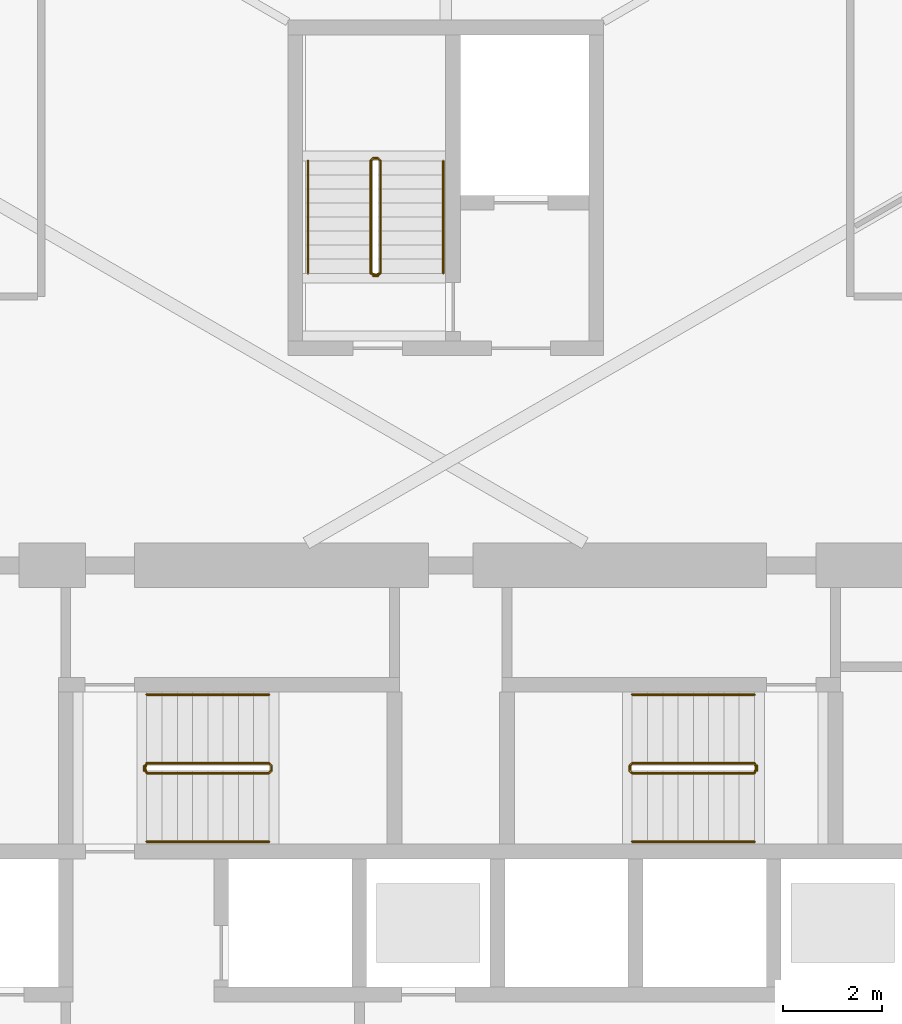
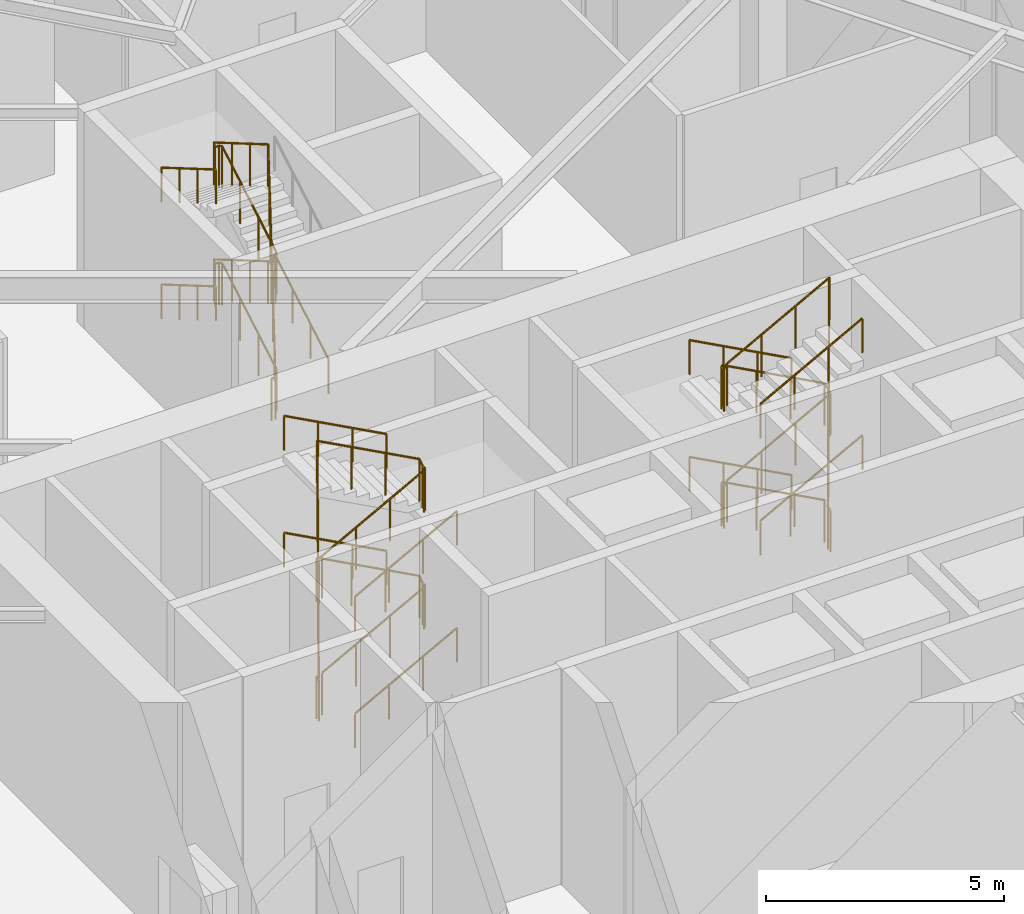
# One storey, part 19 of 21: 14 railings.
"""IFC4 building model written with IfcOpenShell, lengths in metres."""

import ifcopenshell
import ifcopenshell.guid

model = None  # the IFC model being written
_history = None  # IfcOwnerHistory: only IFC2X3 demands one
_inside = {}  # id of a spatial element -> (the spatial element, [elements in it])
_under = {}  # id of a project, library or spatial element -> (it, [spatial elements below it])
_declared = {}  # id of a project -> (the project, [libraries it declares])
_typed = {}  # id of a type object -> (the type object, [elements of that type])
_made_of = {}  # id of a material, layer set ... -> (it, [elements and type objects made of it])


def new_model(schema):
    """Start an empty IFC model of exactly this schema.

    Asked for "IFC4X3", IfcOpenShell would pick the latest addendum, in which some entities
    have other attributes; the version numbers below select the first issue.
    IFC2X3 requires an IfcOwnerHistory on every rooted entity: one is made here for all.
    """
    global model, _history
    if schema == "IFC4X3":
        model = ifcopenshell.file(schema_version=(4, 3, 0, 0))
    else:
        model = ifcopenshell.file(schema=schema)
    _inside.clear()
    _under.clear()
    _declared.clear()
    _typed.clear()
    _made_of.clear()
    _history = None
    if model.schema == "IFC2X3":
        org = make("IfcOrganization", Name="unknown")
        user = make(
            "IfcPersonAndOrganization",
            ThePerson=make("IfcPerson", FamilyName="unknown"),
            TheOrganization=org,
        )
        app = make(
            "IfcApplication",
            ApplicationDeveloper=org,
            Version="unknown",
            ApplicationFullName="unknown",
            ApplicationIdentifier="unknown",
        )
        _history = make(
            "IfcOwnerHistory",
            OwningUser=user,
            OwningApplication=app,
            ChangeAction="ADDED",
            CreationDate=0,
        )
    return model


def make(cls, **values):
    """One entity of the class cls with the attributes given. An attribute that is None is left unset."""
    return model.create_entity(
        cls, **{name: value for name, value in values.items() if value is not None}
    )


def rooted(cls, **values):
    """An entity with a GlobalId (a new one), such as an element, a storey or a relation."""
    return make(cls, GlobalId=ifcopenshell.guid.new(), OwnerHistory=_history, **values)


def si_unit(unit_type, name, prefix=None):
    """IfcSIUnit, for example si_unit("LENGTHUNIT", "METRE", prefix="MILLI")."""
    return make("IfcSIUnit", UnitType=unit_type, Prefix=prefix, Name=name)


def assignment(units):
    """IfcUnitAssignment: the units of a project."""
    return None if units is None else make("IfcUnitAssignment", Units=units)


def point(xyz):
    """IfcCartesianPoint."""
    return None if xyz is None else make("IfcCartesianPoint", Coordinates=xyz)


def direction(xyz):
    """IfcDirection."""
    return None if xyz is None else make("IfcDirection", DirectionRatios=xyz)


def frame(location, z_axis=None, x_axis=None):
    """IfcAxis2Placement3D, a coordinate frame: its origin and axes. An axis left out is left unset."""
    return make(
        "IfcAxis2Placement3D",
        Location=point(location),
        Axis=direction(z_axis),
        RefDirection=direction(x_axis),
    )


def frame_2d(location, x_axis=None):
    """IfcAxis2Placement2D, a coordinate frame in the plane: its origin and x axis."""
    return make(
        "IfcAxis2Placement2D", Location=point(location), RefDirection=direction(x_axis)
    )


def origin():
    """The frame at (0, 0, 0) with its axes left unset."""
    return frame((0.0, 0.0, 0.0))


def origin_2d():
    """The frame at (0, 0) in the plane with its x axis left unset."""
    return frame_2d((0.0, 0.0))


def place(relative_to, where):
    """IfcLocalPlacement: puts the frame where relative to a parent placement (None: the world)."""
    return make(
        "IfcLocalPlacement", PlacementRelTo=relative_to, RelativePlacement=where
    )


def context(
    kind, dimensions, precision=None, world=None, true_north=None, identifier=None
):
    """IfcGeometricRepresentationContext, for example the 3D "Model" context."""
    return make(
        "IfcGeometricRepresentationContext",
        ContextIdentifier=identifier,
        ContextType=kind,
        CoordinateSpaceDimension=dimensions,
        Precision=precision,
        WorldCoordinateSystem=world,
        TrueNorth=true_north,
    )


def subcontext(parent, identifier, kind, view, scale=None):
    """IfcGeometricRepresentationSubContext, for example "Body" below "Model"."""
    return make(
        "IfcGeometricRepresentationSubContext",
        ContextIdentifier=identifier,
        ContextType=kind,
        ParentContext=parent,
        TargetScale=scale,
        TargetView=view,
    )


def project(units=None, contexts=None):
    """IfcProject with its units and contexts."""
    return rooted(
        "IfcProject",
        Name="project",
        RepresentationContexts=contexts,
        UnitsInContext=assignment(units),
    )


def spatial(cls, under=None, at=None, **own):
    """A site, building, storey or space (cls), placed at a placement, below another one or the project."""
    s = rooted(cls, ObjectPlacement=at, **own)
    if under is not None:
        _under.setdefault(under.id(), (under, []))[1].append(s)
    return s


def profile(cls, at=None, kind="AREA", **sizes):
    """A parametric profile (cls). Its sizes go by their IFC names, for example OverallWidth=200.0."""
    return make(cls, ProfileType=kind, Position=at, **sizes)


def circle(**sizes):
    """IfcCircleProfileDef."""
    return profile("IfcCircleProfileDef", **sizes)


def extrude(swept, where, along, depth):
    """IfcExtrudedAreaSolid: the profile swept, set in the frame where, extruded along a direction by depth."""
    return make(
        "IfcExtrudedAreaSolid",
        SweptArea=swept,
        Position=where,
        ExtrudedDirection=direction(along),
        Depth=depth,
    )


def shape(context_of_items, identifier, shape_type, items):
    """IfcShapeRepresentation: the items that make up one representation, for example the "Body"."""
    return make(
        "IfcShapeRepresentation",
        ContextOfItems=context_of_items,
        RepresentationIdentifier=identifier,
        RepresentationType=shape_type,
        Items=items,
    )


def material(Name=None, Category=None):
    """IfcMaterial."""
    return make("IfcMaterial", Name=Name, Category=Category)


def made_of(thing, what):
    """Note that an element or type object is made of a material, layer set ...; save() writes the relation."""
    if what is not None:
        _made_of.setdefault(what.id(), (what, []))[1].append(thing)
    return thing


def type_object(cls, material=None, **own):
    """A type object (cls), such as IfcWallType, which elements share."""
    return made_of(rooted(cls, **own), material)


def element(
    cls,
    number,
    at=None,
    inside=None,
    cuts=None,
    type_object=None,
    material=None,
    context=None,
    identifier="Body",
    shape_type=None,
    held_by="IfcProductDefinitionShape",
    body=None,
    shapes=None,
    **own,
):
    """One element of the class cls, such as IfcWall. Its Tag is "e" and its number.

    at: its placement. inside: the storey or other place that contains it. cuts: it is an
    opening in that element (IfcRelVoidsElement). A single representation is given by context,
    identifier, shape_type and body (its items); several are given by shapes. held_by: the class
    of the entity that holds the representations. save() writes the other relations.
    """
    e = rooted(cls, Tag="e%d" % number, ObjectPlacement=at, **own)
    if body is not None:
        shapes = [shape(context, identifier, shape_type, body)]
    if shapes is not None:
        e.Representation = make(held_by, Representations=shapes)
    if inside is not None:
        _inside.setdefault(inside.id(), (inside, []))[1].append(e)
    if cuts is not None:
        rooted(
            "IfcRelVoidsElement", RelatingBuildingElement=cuts, RelatedOpeningElement=e
        )
    if type_object is not None:
        _typed.setdefault(type_object.id(), (type_object, []))[1].append(e)
    return made_of(e, material)


def aggregate(whole, parts):
    """IfcRelAggregates: a whole, such as a stair, and the parts it consists of."""
    return rooted("IfcRelAggregates", RelatingObject=whole, RelatedObjects=parts)


def save(model, path):
    """Write the relations noted so far, then the file.

    IfcRelAggregates (storeys below a building ...), IfcRelContainedInSpatialStructure (elements
    in a storey), IfcRelDefinesByType, IfcRelAssociatesMaterial and IfcRelDeclares: one each for
    every whole, place, type object, material and project.
    """
    for whole, parts in _under.values():
        aggregate(whole, parts)
    for where, things in _inside.values():
        rooted(
            "IfcRelContainedInSpatialStructure",
            RelatedElements=things,
            RelatingStructure=where,
        )
    for kind, things in _typed.values():
        rooted("IfcRelDefinesByType", RelatedObjects=things, RelatingType=kind)
    for what, things in _made_of.values():
        rooted("IfcRelAssociatesMaterial", RelatedObjects=things, RelatingMaterial=what)
    for by, libraries in _declared.values():
        rooted("IfcRelDeclares", RelatingContext=by, RelatedDefinitions=libraries)
    model.write(path)


model = new_model("IFC4")

# Units and contexts
model_context = context("Model", 3, precision=1e-05, world=origin(), true_north=direction((0.0, 1.0)))
body_context = subcontext(model_context, "Body", "Model", "MODEL_VIEW")
ifc_project = project(units=[si_unit("LENGTHUNIT", "METRE"), si_unit("AREAUNIT", "SQUARE_METRE"), si_unit("VOLUMEUNIT", "CUBIC_METRE"), si_unit("PLANEANGLEUNIT", "RADIAN"), si_unit("MASSUNIT", "GRAM", prefix="KILO")], contexts=[model_context])

# Site, building, storey
site_placement = place(None, origin())
site = spatial("IfcSite", under=ifc_project, at=site_placement, CompositionType="ELEMENT")
building_placement = place(site_placement, origin())
building = spatial("IfcBuilding", under=site, at=building_placement, Name="Firuza Gate Tower and Library", CompositionType="ELEMENT")
storey_placement = place(building_placement, frame((0.0, 0.0, 140.800048828125)))
storey = spatial("IfcBuildingStorey", under=building, at=storey_placement, Name="L32", CompositionType="ELEMENT", Elevation=140.800048828125)

# Railings
ifc_material_1 = material(Name="Steel S355", Category="steel")
railing_type_1 = type_object("IfcRailingType", Name="Stair guard 1100", PredefinedType="GUARDRAIL", material=ifc_material_1)
railing_1_placement = place(storey_placement, frame((68.93994140625, 79.340087890625, 0.16650390625)))
element("IfcRailing", 1, at=railing_1_placement, inside=storey, type_object=railing_type_1, Name="L32 ST1 stair guard 1", PredefinedType="GUARDRAIL", context=body_context, shape_type="SweptSolid", body=[
    extrude(circle(Radius=0.02392578125, at=origin_2d()), frame((0.0, 0.0, 1.076171875), z_axis=(0.880749358647, 0.0, 0.473582693141), x_axis=(0.0, 1.0, 0.0)), (0.0, 0.0, 1.0), 2.815673828125),
    extrude(circle(Radius=0.02392578125, at=origin_2d()), frame((2.47998046875, 0.0, 2.40966796875), z_axis=(0.708833529934, 0.705375805398, 0.0), x_axis=(-0.705375805398, 0.708833529934, 0.0)), (0.0, 0.0, 1.0), 0.070556640625),
    extrude(circle(Radius=0.02392578125, at=origin_2d()), frame((2.530029296875, 0.0498046875, 2.40966796875), z_axis=(0.0, 1.0, 0.0), x_axis=(-1.0, 0.0, 0.0)), (0.0, 0.0, 1.0), 0.10009765625),
    extrude(circle(Radius=0.02392578125, at=origin_2d()), frame((2.530029296875, 0.14990234375, 2.40966796875), z_axis=(-0.27662974545, 0.27662974545, 0.920299933644), x_axis=(-0.707106781187, -0.707106781187, 0.0)), (0.0, 0.0, 1.0), 0.180908203125),
    extrude(circle(Radius=0.02392578125, at=origin_2d()), frame((2.47998046875, 0.199951171875, 2.576171875), z_axis=(-0.880749358647, 0.0, 0.473582693141), x_axis=(0.0, -1.0, 0.0)), (0.0, 0.0, 1.0), 2.815673828125),
    extrude(circle(Radius=0.02392578125, at=origin_2d()), frame((0.0, 0.199951171875, 3.90966796875), z_axis=(-0.316227766017, -0.948683298051, 0.0), x_axis=(0.948683298051, -0.316227766017, 0.0)), (0.0, 0.0, 1.0), 0.158203125),
    extrude(circle(Radius=0.02392578125, at=origin_2d()), frame((-0.050048828125, 0.0498046875, 3.90966796875), z_axis=(0.0, 1.0, 0.0), x_axis=(-1.0, 0.0, 0.0)), (0.0, 0.0, 1.0), 0.10009765625),
    extrude(circle(Radius=0.02392578125, at=origin_2d()), frame((-0.050048828125, 0.14990234375, 3.90966796875), z_axis=(0.218017880586, -0.652990139901, 0.725308266144), x_axis=(0.948528701346, 0.316691178788, 0.0)), (0.0, 0.0, 1.0), 0.2294921875),
    extrude(circle(Radius=0.02392578125, at=origin_2d()), frame((0.0, 0.0, 4.076171875), z_axis=(0.880749358647, 0.0, 0.473582693141), x_axis=(0.0, 1.0, 0.0)), (0.0, 0.0, 1.0), 2.815673828125),
    extrude(circle(Radius=0.02392578125, at=origin_2d()), frame((2.47998046875, 0.0, 5.40966796875), z_axis=(0.708833529934, 0.705375805398, 0.0), x_axis=(-0.705375805398, 0.708833529934, 0.0)), (0.0, 0.0, 1.0), 0.070556640625),
    extrude(circle(Radius=0.02392578125, at=origin_2d()), frame((2.530029296875, 0.0498046875, 5.40966796875), z_axis=(0.0, 1.0, 0.0), x_axis=(-1.0, 0.0, 0.0)), (0.0, 0.0, 1.0), 0.10009765625),
    extrude(circle(Radius=0.02392578125, at=origin_2d()), frame((2.530029296875, 0.14990234375, 5.40966796875), z_axis=(-0.27662974545, 0.27662974545, 0.920299933644), x_axis=(-0.707106781187, -0.707106781187, 0.0)), (0.0, 0.0, 1.0), 0.180908203125),
    extrude(circle(Radius=0.02392578125, at=origin_2d()), frame((2.47998046875, 0.199951171875, 5.576171875), z_axis=(-0.880749358647, 0.0, 0.473582693141), x_axis=(0.0, -1.0, 0.0)), (0.0, 0.0, 1.0), 2.815673828125),
    extrude(circle(Radius=0.02392578125, at=origin_2d()), frame((0.0, 0.199951171875, 6.90966796875), z_axis=(-0.008338570864, -0.025015712591, -0.999652280725), x_axis=(0.948683298051, -0.316227766017, 0.0)), (0.0, 0.0, 1.0), 6.002197265625),
    extrude(circle(Radius=0.02392578125, at=origin_2d()), frame((-0.050048828125, 0.0498046875, 0.90966796875), z_axis=(0.0, 1.0, 0.0), x_axis=(-1.0, 0.0, 0.0)), (0.0, 0.0, 1.0), 0.10009765625),
    extrude(circle(Radius=0.02099609375, at=origin_2d()), origin(), (0.0, 0.0, 1.0), 1.052001953125),
    extrude(circle(Radius=0.02099609375, at=origin_2d()), frame((0.82666015625, 0.0, 0.444580078125)), (0.0, 0.0, 1.0), 1.052001953125),
    extrude(circle(Radius=0.02099609375, at=origin_2d()), frame((1.6533203125, 0.0, 0.888916015625)), (0.0, 0.0, 1.0), 1.052001953125),
    extrude(circle(Radius=0.02099609375, at=origin_2d()), frame((2.47998046875, 0.0, 1.33349609375)), (0.0, 0.0, 1.0), 1.052001953125),
    extrude(circle(Radius=0.02099609375, at=origin_2d()), frame((2.530029296875, 0.0498046875, 1.33349609375)), (0.0, 0.0, 1.0), 1.052001953125),
    extrude(circle(Radius=0.02099609375, at=origin_2d()), frame((2.530029296875, 0.14990234375, 1.33349609375)), (0.0, 0.0, 1.0), 1.052001953125),
    extrude(circle(Radius=0.02099609375, at=origin_2d()), frame((2.47998046875, 0.199951171875, 1.5)), (0.0, 0.0, 1.0), 1.052001953125),
    extrude(circle(Radius=0.02099609375, at=origin_2d()), frame((1.6533203125, 0.199951171875, 1.944580078125)), (0.0, 0.0, 1.0), 1.052001953125),
    extrude(circle(Radius=0.02099609375, at=origin_2d()), frame((0.82666015625, 0.199951171875, 2.388916015625)), (0.0, 0.0, 1.0), 1.052001953125),
    extrude(circle(Radius=0.02099609375, at=origin_2d()), frame((0.0, 0.199951171875, 2.83349609375)), (0.0, 0.0, 1.0), 1.052001953125),
    extrude(circle(Radius=0.02099609375, at=origin_2d()), frame((-0.050048828125, 0.0498046875, 2.83349609375)), (0.0, 0.0, 1.0), 1.052001953125),
    extrude(circle(Radius=0.02099609375, at=origin_2d()), frame((-0.050048828125, 0.14990234375, 2.83349609375)), (0.0, 0.0, 1.0), 1.052001953125),
    extrude(circle(Radius=0.02099609375, at=origin_2d()), frame((0.0, 0.0, 3.0)), (0.0, 0.0, 1.0), 1.052001953125),
    extrude(circle(Radius=0.02099609375, at=origin_2d()), frame((0.82666015625, 0.0, 3.444580078125)), (0.0, 0.0, 1.0), 1.052001953125),
    extrude(circle(Radius=0.02099609375, at=origin_2d()), frame((1.6533203125, 0.0, 3.888916015625)), (0.0, 0.0, 1.0), 1.052001953125),
    extrude(circle(Radius=0.02099609375, at=origin_2d()), frame((2.47998046875, 0.0, 4.33349609375)), (0.0, 0.0, 1.0), 1.052001953125),
    extrude(circle(Radius=0.02099609375, at=origin_2d()), frame((2.530029296875, 0.0498046875, 4.33349609375)), (0.0, 0.0, 1.0), 1.052001953125),
    extrude(circle(Radius=0.02099609375, at=origin_2d()), frame((2.530029296875, 0.14990234375, 4.33349609375)), (0.0, 0.0, 1.0), 1.052001953125),
    extrude(circle(Radius=0.02099609375, at=origin_2d()), frame((2.47998046875, 0.199951171875, 4.5)), (0.0, 0.0, 1.0), 1.052001953125),
    extrude(circle(Radius=0.02099609375, at=origin_2d()), frame((1.6533203125, 0.199951171875, 4.944580078125)), (0.0, 0.0, 1.0), 1.052001953125),
    extrude(circle(Radius=0.02099609375, at=origin_2d()), frame((0.82666015625, 0.199951171875, 5.388916015625)), (0.0, 0.0, 1.0), 1.052001953125),
    extrude(circle(Radius=0.02099609375, at=origin_2d()), frame((0.0, 0.199951171875, 5.83349609375)), (0.0, 0.0, 1.0), 1.052001953125),
    extrude(circle(Radius=0.02099609375, at=origin_2d()), frame((-0.00830078125, 0.1748046875, 4.83349609375)), (0.0, 0.0, 1.0), 1.052001953125),
    extrude(circle(Radius=0.02099609375, at=origin_2d()), frame((-0.0166015625, 0.14990234375, 3.83349609375)), (0.0, 0.0, 1.0), 1.052001953125),
    extrude(circle(Radius=0.02099609375, at=origin_2d()), frame((-0.02490234375, 0.125, 2.83349609375)), (0.0, 0.0, 1.0), 1.052001953125),
    extrude(circle(Radius=0.02099609375, at=origin_2d()), frame((-0.033447265625, 0.099853515625, 1.83349609375)), (0.0, 0.0, 1.0), 1.052001953125),
    extrude(circle(Radius=0.02099609375, at=origin_2d()), frame((-0.041748046875, 0.07470703125, 0.83349609375)), (0.0, 0.0, 1.0), 1.052001953125),
    extrude(circle(Radius=0.02099609375, at=origin_2d()), frame((-0.050048828125, 0.0498046875, -0.16650390625)), (0.0, 0.0, 1.0), 1.052001953125),
    extrude(circle(Radius=0.02099609375, at=origin_2d()), frame((-0.050048828125, 0.14990234375, -0.16650390625)), (0.0, 0.0, 1.0), 1.052001953125),
])
railing_2_placement = place(storey_placement, frame((81.260009765625, 79.5400390625, 0.16650390625)))
element("IfcRailing", 2, at=railing_2_placement, inside=storey, type_object=railing_type_1, Name="L32 ST2 stair guard 1", PredefinedType="GUARDRAIL", context=body_context, shape_type="SweptSolid", body=[
    extrude(circle(Radius=0.02392578125, at=origin_2d()), frame((0.0, 0.0, 1.076171875), z_axis=(-0.880749358647, 0.0, 0.473582693141), x_axis=(0.0, -1.0, 0.0)), (0.0, 0.0, 1.0), 2.815673828125),
    extrude(circle(Radius=0.02392578125, at=origin_2d()), frame((-2.47998046875, 0.0, 2.40966796875), z_axis=(-0.707106781187, -0.707106781187, 0.0), x_axis=(0.707106781187, -0.707106781187, 0.0)), (0.0, 0.0, 1.0), 0.07080078125),
    extrude(circle(Radius=0.02392578125, at=origin_2d()), frame((-2.530029296875, -0.050048828125, 2.40966796875), z_axis=(0.0, -1.0, 0.0), x_axis=(1.0, 0.0, 0.0)), (0.0, 0.0, 1.0), 0.10009765625),
    extrude(circle(Radius=0.02392578125, at=origin_2d()), frame((-2.530029296875, -0.150146484375, 2.40966796875), z_axis=(0.276732813696, -0.275382897532, 0.920642824102), x_axis=(0.705375805398, 0.708833529934, 0.0)), (0.0, 0.0, 1.0), 0.180908203125),
    extrude(circle(Radius=0.02392578125, at=origin_2d()), frame((-2.47998046875, -0.199951171875, 2.576171875), z_axis=(0.880749358647, 0.0, 0.473582693141), x_axis=(0.0, 1.0, 0.0)), (0.0, 0.0, 1.0), 2.815673828125),
    extrude(circle(Radius=0.02392578125, at=origin_2d()), frame((0.0, -0.199951171875, 3.90966796875), z_axis=(0.316691178788, 0.948528701346, 0.0), x_axis=(-0.948528701346, 0.316691178788, 0.0)), (0.0, 0.0, 1.0), 0.157958984375),
    extrude(circle(Radius=0.02392578125, at=origin_2d()), frame((0.050048828125, -0.050048828125, 3.90966796875), z_axis=(0.0, -1.0, 0.0), x_axis=(1.0, 0.0, 0.0)), (0.0, 0.0, 1.0), 0.10009765625),
    extrude(circle(Radius=0.02392578125, at=origin_2d()), frame((0.050048828125, -0.150146484375, 3.90966796875), z_axis=(-0.217866511207, 0.653599533622, 0.724804686066), x_axis=(-0.948683298051, -0.316227766017, 0.0)), (0.0, 0.0, 1.0), 0.229736328125),
    extrude(circle(Radius=0.02392578125, at=origin_2d()), frame((0.0, 0.0, 4.076171875), z_axis=(-0.880749358647, 0.0, 0.473582693141), x_axis=(0.0, -1.0, 0.0)), (0.0, 0.0, 1.0), 2.815673828125),
    extrude(circle(Radius=0.02392578125, at=origin_2d()), frame((-2.47998046875, 0.0, 5.40966796875), z_axis=(-0.707106781187, -0.707106781187, 0.0), x_axis=(0.707106781187, -0.707106781187, 0.0)), (0.0, 0.0, 1.0), 0.07080078125),
    extrude(circle(Radius=0.02392578125, at=origin_2d()), frame((-2.530029296875, -0.050048828125, 5.40966796875), z_axis=(0.0, -1.0, 0.0), x_axis=(1.0, 0.0, 0.0)), (0.0, 0.0, 1.0), 0.10009765625),
    extrude(circle(Radius=0.02392578125, at=origin_2d()), frame((-2.530029296875, -0.150146484375, 5.40966796875), z_axis=(0.276732813696, -0.275382897532, 0.920642824102), x_axis=(0.705375805398, 0.708833529934, 0.0)), (0.0, 0.0, 1.0), 0.180908203125),
    extrude(circle(Radius=0.02392578125, at=origin_2d()), frame((-2.47998046875, -0.199951171875, 5.576171875), z_axis=(0.880749358647, 0.0, 0.473582693141), x_axis=(0.0, 1.0, 0.0)), (0.0, 0.0, 1.0), 2.815673828125),
    extrude(circle(Radius=0.02392578125, at=origin_2d()), frame((0.0, -0.199951171875, 6.90966796875), z_axis=(0.008338579342, 0.024975062028, -0.999653297084), x_axis=(-0.948528701346, 0.316691178788, 0.0)), (0.0, 0.0, 1.0), 6.002197265625),
    extrude(circle(Radius=0.02392578125, at=origin_2d()), frame((0.050048828125, -0.050048828125, 0.90966796875), z_axis=(0.0, -1.0, 0.0), x_axis=(1.0, 0.0, 0.0)), (0.0, 0.0, 1.0), 0.10009765625),
    extrude(circle(Radius=0.02099609375, at=origin_2d()), origin(), (0.0, 0.0, 1.0), 1.052001953125),
    extrude(circle(Radius=0.02099609375, at=origin_2d()), frame((-0.82666015625, 0.0, 0.444580078125)), (0.0, 0.0, 1.0), 1.052001953125),
    extrude(circle(Radius=0.02099609375, at=origin_2d()), frame((-1.6533203125, 0.0, 0.888916015625)), (0.0, 0.0, 1.0), 1.052001953125),
    extrude(circle(Radius=0.02099609375, at=origin_2d()), frame((-2.47998046875, 0.0, 1.33349609375)), (0.0, 0.0, 1.0), 1.052001953125),
    extrude(circle(Radius=0.02099609375, at=origin_2d()), frame((-2.530029296875, -0.050048828125, 1.33349609375)), (0.0, 0.0, 1.0), 1.052001953125),
    extrude(circle(Radius=0.02099609375, at=origin_2d()), frame((-2.530029296875, -0.150146484375, 1.33349609375)), (0.0, 0.0, 1.0), 1.052001953125),
    extrude(circle(Radius=0.02099609375, at=origin_2d()), frame((-2.47998046875, -0.199951171875, 1.5)), (0.0, 0.0, 1.0), 1.052001953125),
    extrude(circle(Radius=0.02099609375, at=origin_2d()), frame((-1.6533203125, -0.199951171875, 1.944580078125)), (0.0, 0.0, 1.0), 1.052001953125),
    extrude(circle(Radius=0.02099609375, at=origin_2d()), frame((-0.82666015625, -0.199951171875, 2.388916015625)), (0.0, 0.0, 1.0), 1.052001953125),
    extrude(circle(Radius=0.02099609375, at=origin_2d()), frame((0.0, -0.199951171875, 2.83349609375)), (0.0, 0.0, 1.0), 1.052001953125),
    extrude(circle(Radius=0.02099609375, at=origin_2d()), frame((0.050048828125, -0.050048828125, 2.83349609375)), (0.0, 0.0, 1.0), 1.052001953125),
    extrude(circle(Radius=0.02099609375, at=origin_2d()), frame((0.050048828125, -0.150146484375, 2.83349609375)), (0.0, 0.0, 1.0), 1.052001953125),
    extrude(circle(Radius=0.02099609375, at=origin_2d()), frame((0.0, 0.0, 3.0)), (0.0, 0.0, 1.0), 1.052001953125),
    extrude(circle(Radius=0.02099609375, at=origin_2d()), frame((-0.82666015625, 0.0, 3.444580078125)), (0.0, 0.0, 1.0), 1.052001953125),
    extrude(circle(Radius=0.02099609375, at=origin_2d()), frame((-1.6533203125, 0.0, 3.888916015625)), (0.0, 0.0, 1.0), 1.052001953125),
    extrude(circle(Radius=0.02099609375, at=origin_2d()), frame((-2.47998046875, 0.0, 4.33349609375)), (0.0, 0.0, 1.0), 1.052001953125),
    extrude(circle(Radius=0.02099609375, at=origin_2d()), frame((-2.530029296875, -0.050048828125, 4.33349609375)), (0.0, 0.0, 1.0), 1.052001953125),
    extrude(circle(Radius=0.02099609375, at=origin_2d()), frame((-2.530029296875, -0.150146484375, 4.33349609375)), (0.0, 0.0, 1.0), 1.052001953125),
    extrude(circle(Radius=0.02099609375, at=origin_2d()), frame((-2.47998046875, -0.199951171875, 4.5)), (0.0, 0.0, 1.0), 1.052001953125),
    extrude(circle(Radius=0.02099609375, at=origin_2d()), frame((-1.6533203125, -0.199951171875, 4.944580078125)), (0.0, 0.0, 1.0), 1.052001953125),
    extrude(circle(Radius=0.02099609375, at=origin_2d()), frame((-0.82666015625, -0.199951171875, 5.388916015625)), (0.0, 0.0, 1.0), 1.052001953125),
    extrude(circle(Radius=0.02099609375, at=origin_2d()), frame((0.0, -0.199951171875, 5.83349609375)), (0.0, 0.0, 1.0), 1.052001953125),
    extrude(circle(Radius=0.02099609375, at=origin_2d()), frame((0.00830078125, -0.175048828125, 4.83349609375)), (0.0, 0.0, 1.0), 1.052001953125),
    extrude(circle(Radius=0.02099609375, at=origin_2d()), frame((0.0166015625, -0.14990234375, 3.83349609375)), (0.0, 0.0, 1.0), 1.052001953125),
    extrude(circle(Radius=0.02099609375, at=origin_2d()), frame((0.02490234375, -0.125, 2.83349609375)), (0.0, 0.0, 1.0), 1.052001953125),
    extrude(circle(Radius=0.02099609375, at=origin_2d()), frame((0.033447265625, -0.10009765625, 1.83349609375)), (0.0, 0.0, 1.0), 1.052001953125),
    extrude(circle(Radius=0.02099609375, at=origin_2d()), frame((0.041748046875, -0.074951171875, 0.83349609375)), (0.0, 0.0, 1.0), 1.052001953125),
    extrude(circle(Radius=0.02099609375, at=origin_2d()), frame((0.050048828125, -0.050048828125, -0.16650390625)), (0.0, 0.0, 1.0), 1.052001953125),
    extrude(circle(Radius=0.02099609375, at=origin_2d()), frame((0.050048828125, -0.150146484375, -0.16650390625)), (0.0, 0.0, 1.0), 1.052001953125),
])
railing_3_placement = place(storey_placement, frame((73.679931640625, 89.469970703125, 0.16650390625)))
element("IfcRailing", 3, at=railing_3_placement, inside=storey, type_object=railing_type_1, Name="L32 ST3 stair guard 1", PredefinedType="GUARDRAIL", context=body_context, shape_type="SweptSolid", body=[
    extrude(circle(Radius=0.02392578125, at=origin_2d()), frame((0.0, 0.0, 1.076171875), z_axis=(0.0, 0.863205083432, 0.504853428173), x_axis=(-1.0, 0.0, 0.0)), (0.0, 0.0, 1.0), 2.641357421875),
    extrude(circle(Radius=0.02392578125, at=origin_2d()), frame((0.0, 2.280029296875, 2.40966796875), z_axis=(-0.707106781187, 0.707106781187, 0.0), x_axis=(-0.707106781187, -0.707106781187, 0.0)), (0.0, 0.0, 1.0), 0.07080078125),
    extrude(circle(Radius=0.02392578125, at=origin_2d()), frame((-0.050048828125, 2.330078125, 2.40966796875), z_axis=(-1.0, 0.0, 0.0), x_axis=(0.0, -1.0, 0.0)), (0.0, 0.0, 1.0), 0.099853515625),
    extrude(circle(Radius=0.02392578125, at=origin_2d()), frame((-0.14990234375, 2.330078125, 2.40966796875), z_axis=(-0.27662974545, -0.27662974545, 0.920299933644), x_axis=(0.707106781187, -0.707106781187, 0.0)), (0.0, 0.0, 1.0), 0.180908203125),
    extrude(circle(Radius=0.02392578125, at=origin_2d()), frame((-0.199951171875, 2.280029296875, 2.576171875), z_axis=(0.0, -0.863205083432, 0.504853428173), x_axis=(1.0, 0.0, 0.0)), (0.0, 0.0, 1.0), 2.641357421875),
    extrude(circle(Radius=0.02392578125, at=origin_2d()), frame((-0.199951171875, 0.0, 3.90966796875), z_axis=(0.948528701346, -0.316691178788, 0.0), x_axis=(0.316691178788, 0.948528701346, 0.0)), (0.0, 0.0, 1.0), 0.157958984375),
    extrude(circle(Radius=0.02392578125, at=origin_2d()), frame((-0.050048828125, -0.050048828125, 3.90966796875), z_axis=(-1.0, 0.0, 0.0), x_axis=(0.0, -1.0, 0.0)), (0.0, 0.0, 1.0), 0.099853515625),
    extrude(circle(Radius=0.02392578125, at=origin_2d()), frame((-0.14990234375, -0.050048828125, 3.90966796875), z_axis=(0.652990139901, 0.218017880586, 0.725308266144), x_axis=(-0.316691178788, 0.948528701346, 0.0)), (0.0, 0.0, 1.0), 0.2294921875),
    extrude(circle(Radius=0.02392578125, at=origin_2d()), frame((0.0, 0.0, 4.076171875), z_axis=(0.0, 0.863205083432, 0.504853428173), x_axis=(-1.0, 0.0, 0.0)), (0.0, 0.0, 1.0), 2.641357421875),
    extrude(circle(Radius=0.02392578125, at=origin_2d()), frame((0.0, 2.280029296875, 5.40966796875), z_axis=(-0.707106781187, 0.707106781187, 0.0), x_axis=(-0.707106781187, -0.707106781187, 0.0)), (0.0, 0.0, 1.0), 0.07080078125),
    extrude(circle(Radius=0.02392578125, at=origin_2d()), frame((-0.050048828125, 2.330078125, 5.40966796875), z_axis=(-1.0, 0.0, 0.0), x_axis=(0.0, -1.0, 0.0)), (0.0, 0.0, 1.0), 0.099853515625),
    extrude(circle(Radius=0.02392578125, at=origin_2d()), frame((-0.14990234375, 2.330078125, 5.40966796875), z_axis=(-0.27662974545, -0.27662974545, 0.920299933644), x_axis=(0.707106781187, -0.707106781187, 0.0)), (0.0, 0.0, 1.0), 0.180908203125),
    extrude(circle(Radius=0.02392578125, at=origin_2d()), frame((-0.199951171875, 2.280029296875, 5.576171875), z_axis=(0.0, -0.863205083432, 0.504853428173), x_axis=(1.0, 0.0, 0.0)), (0.0, 0.0, 1.0), 2.641357421875),
    extrude(circle(Radius=0.02392578125, at=origin_2d()), frame((-0.199951171875, 0.0, 6.90966796875), z_axis=(0.024975062028, -0.008338579342, -0.999653297084), x_axis=(0.316691178788, 0.948528701346, 0.0)), (0.0, 0.0, 1.0), 6.002197265625),
    extrude(circle(Radius=0.02392578125, at=origin_2d()), frame((-0.050048828125, -0.050048828125, 0.90966796875), z_axis=(-1.0, 0.0, 0.0), x_axis=(0.0, -1.0, 0.0)), (0.0, 0.0, 1.0), 0.099853515625),
    extrude(circle(Radius=0.02099609375, at=origin_2d()), origin(), (0.0, 0.0, 1.0), 1.052001953125),
    extrude(circle(Radius=0.02099609375, at=origin_2d()), frame((0.0, 0.760009765625, 0.444580078125)), (0.0, 0.0, 1.0), 1.052001953125),
    extrude(circle(Radius=0.02099609375, at=origin_2d()), frame((0.0, 1.52001953125, 0.888916015625)), (0.0, 0.0, 1.0), 1.052001953125),
    extrude(circle(Radius=0.02099609375, at=origin_2d()), frame((0.0, 2.280029296875, 1.33349609375)), (0.0, 0.0, 1.0), 1.052001953125),
    extrude(circle(Radius=0.02099609375, at=origin_2d()), frame((-0.050048828125, 2.330078125, 1.33349609375)), (0.0, 0.0, 1.0), 1.052001953125),
    extrude(circle(Radius=0.02099609375, at=origin_2d()), frame((-0.14990234375, 2.330078125, 1.33349609375)), (0.0, 0.0, 1.0), 1.052001953125),
    extrude(circle(Radius=0.02099609375, at=origin_2d()), frame((-0.199951171875, 2.280029296875, 1.5)), (0.0, 0.0, 1.0), 1.052001953125),
    extrude(circle(Radius=0.02099609375, at=origin_2d()), frame((-0.199951171875, 1.52001953125, 1.944580078125)), (0.0, 0.0, 1.0), 1.052001953125),
    extrude(circle(Radius=0.02099609375, at=origin_2d()), frame((-0.199951171875, 0.760009765625, 2.388916015625)), (0.0, 0.0, 1.0), 1.052001953125),
    extrude(circle(Radius=0.02099609375, at=origin_2d()), frame((-0.199951171875, 0.0, 2.83349609375)), (0.0, 0.0, 1.0), 1.052001953125),
    extrude(circle(Radius=0.02099609375, at=origin_2d()), frame((-0.050048828125, -0.050048828125, 2.83349609375)), (0.0, 0.0, 1.0), 1.052001953125),
    extrude(circle(Radius=0.02099609375, at=origin_2d()), frame((-0.14990234375, -0.050048828125, 2.83349609375)), (0.0, 0.0, 1.0), 1.052001953125),
    extrude(circle(Radius=0.02099609375, at=origin_2d()), frame((0.0, 0.0, 3.0)), (0.0, 0.0, 1.0), 1.052001953125),
    extrude(circle(Radius=0.02099609375, at=origin_2d()), frame((0.0, 0.760009765625, 3.444580078125)), (0.0, 0.0, 1.0), 1.052001953125),
    extrude(circle(Radius=0.02099609375, at=origin_2d()), frame((0.0, 1.52001953125, 3.888916015625)), (0.0, 0.0, 1.0), 1.052001953125),
    extrude(circle(Radius=0.02099609375, at=origin_2d()), frame((0.0, 2.280029296875, 4.33349609375)), (0.0, 0.0, 1.0), 1.052001953125),
    extrude(circle(Radius=0.02099609375, at=origin_2d()), frame((-0.050048828125, 2.330078125, 4.33349609375)), (0.0, 0.0, 1.0), 1.052001953125),
    extrude(circle(Radius=0.02099609375, at=origin_2d()), frame((-0.14990234375, 2.330078125, 4.33349609375)), (0.0, 0.0, 1.0), 1.052001953125),
    extrude(circle(Radius=0.02099609375, at=origin_2d()), frame((-0.199951171875, 2.280029296875, 4.5)), (0.0, 0.0, 1.0), 1.052001953125),
    extrude(circle(Radius=0.02099609375, at=origin_2d()), frame((-0.199951171875, 1.52001953125, 4.944580078125)), (0.0, 0.0, 1.0), 1.052001953125),
    extrude(circle(Radius=0.02099609375, at=origin_2d()), frame((-0.199951171875, 0.760009765625, 5.388916015625)), (0.0, 0.0, 1.0), 1.052001953125),
    extrude(circle(Radius=0.02099609375, at=origin_2d()), frame((-0.199951171875, 0.0, 5.83349609375)), (0.0, 0.0, 1.0), 1.052001953125),
    extrude(circle(Radius=0.02099609375, at=origin_2d()), frame((-0.175048828125, -0.00830078125, 4.83349609375)), (0.0, 0.0, 1.0), 1.052001953125),
    extrude(circle(Radius=0.02099609375, at=origin_2d()), frame((-0.14990234375, -0.0166015625, 3.83349609375)), (0.0, 0.0, 1.0), 1.052001953125),
    extrude(circle(Radius=0.02099609375, at=origin_2d()), frame((-0.125, -0.02490234375, 2.83349609375)), (0.0, 0.0, 1.0), 1.052001953125),
    extrude(circle(Radius=0.02099609375, at=origin_2d()), frame((-0.10009765625, -0.033447265625, 1.83349609375)), (0.0, 0.0, 1.0), 1.052001953125),
    extrude(circle(Radius=0.02099609375, at=origin_2d()), frame((-0.074951171875, -0.041748046875, 0.83349609375)), (0.0, 0.0, 1.0), 1.052001953125),
    extrude(circle(Radius=0.02099609375, at=origin_2d()), frame((-0.050048828125, -0.050048828125, -0.16650390625)), (0.0, 0.0, 1.0), 1.052001953125),
    extrude(circle(Radius=0.02099609375, at=origin_2d()), frame((-0.14990234375, -0.050048828125, -0.16650390625)), (0.0, 0.0, 1.0), 1.052001953125),
])
ifc_material_2 = material(Name="Steel S355", Category="steel")
railing_type_2 = type_object("IfcRailingType", Name="Stair handrail 900", PredefinedType="HANDRAIL", material=ifc_material_2)
railing_4_placement = place(storey_placement, frame((68.93994140625, 77.949951171875, 0.16650390625)))
element("IfcRailing", 4, at=railing_4_placement, inside=storey, type_object=railing_type_2, Name="L32 ST1 stair handrail 1", PredefinedType="HANDRAIL", context=body_context, shape_type="SweptSolid", body=[
    extrude(circle(Radius=0.02392578125, at=origin_2d()), frame((0.0, 0.0, 0.8759765625), z_axis=(0.880749358647, 0.0, 0.473582693141), x_axis=(0.0, 1.0, 0.0)), (0.0, 0.0, 1.0), 2.815673828125),
    extrude(circle(Radius=0.02099609375, at=origin_2d()), origin(), (0.0, 0.0, 1.0), 0.851806640625),
    extrude(circle(Radius=0.02099609375, at=origin_2d()), frame((0.82666015625, 0.0, 0.444580078125)), (0.0, 0.0, 1.0), 0.851806640625),
    extrude(circle(Radius=0.02099609375, at=origin_2d()), frame((1.6533203125, 0.0, 0.888916015625)), (0.0, 0.0, 1.0), 0.851806640625),
    extrude(circle(Radius=0.02099609375, at=origin_2d()), frame((2.47998046875, 0.0, 1.33349609375)), (0.0, 0.0, 1.0), 0.851806640625),
])
railing_5_placement = place(storey_placement, frame((71.419921875, 80.929931640625, 1.66650390625)))
element("IfcRailing", 5, at=railing_5_placement, inside=storey, type_object=railing_type_2, Name="L32 ST1 stair handrail 2", PredefinedType="HANDRAIL", context=body_context, shape_type="SweptSolid", body=[
    extrude(circle(Radius=0.02392578125, at=origin_2d()), frame((0.0, 0.0, 0.8759765625), z_axis=(-0.880749358647, 0.0, 0.473582693141), x_axis=(0.0, -1.0, 0.0)), (0.0, 0.0, 1.0), 2.815673828125),
    extrude(circle(Radius=0.02099609375, at=origin_2d()), origin(), (0.0, 0.0, 1.0), 0.851806640625),
    extrude(circle(Radius=0.02099609375, at=origin_2d()), frame((-0.82666015625, 0.0, 0.444580078125)), (0.0, 0.0, 1.0), 0.851806640625),
    extrude(circle(Radius=0.02099609375, at=origin_2d()), frame((-1.6533203125, 0.0, 0.888916015625)), (0.0, 0.0, 1.0), 0.851806640625),
    extrude(circle(Radius=0.02099609375, at=origin_2d()), frame((-2.47998046875, 0.0, 1.33349609375)), (0.0, 0.0, 1.0), 0.851806640625),
])
railing_6_placement = place(storey_placement, frame((68.93994140625, 77.949951171875, 3.16650390625)))
element("IfcRailing", 6, at=railing_6_placement, inside=storey, type_object=railing_type_2, Name="L32 ST1 stair handrail 3", PredefinedType="HANDRAIL", context=body_context, shape_type="SweptSolid", body=[
    extrude(circle(Radius=0.02392578125, at=origin_2d()), frame((0.0, 0.0, 0.8759765625), z_axis=(0.880749358647, 0.0, 0.473582693141), x_axis=(0.0, 1.0, 0.0)), (0.0, 0.0, 1.0), 2.815673828125),
    extrude(circle(Radius=0.02099609375, at=origin_2d()), origin(), (0.0, 0.0, 1.0), 0.851806640625),
    extrude(circle(Radius=0.02099609375, at=origin_2d()), frame((0.82666015625, 0.0, 0.444580078125)), (0.0, 0.0, 1.0), 0.851806640625),
    extrude(circle(Radius=0.02099609375, at=origin_2d()), frame((1.6533203125, 0.0, 0.888916015625)), (0.0, 0.0, 1.0), 0.851806640625),
    extrude(circle(Radius=0.02099609375, at=origin_2d()), frame((2.47998046875, 0.0, 1.33349609375)), (0.0, 0.0, 1.0), 0.851806640625),
])
for number, where, name in (
    (7, (71.419921875, 80.929931640625, 4.66650390625), "L32 ST1 stair handrail 4"),
    (8, (81.260009765625, 80.929931640625, 0.16650390625), "L32 ST2 stair handrail 1"),
):
    element("IfcRailing", number, at=place(storey_placement, frame(where)), inside=storey, type_object=railing_type_2, Name=name, PredefinedType="HANDRAIL", context=body_context, shape_type="SweptSolid", body=[
        extrude(circle(Radius=0.02392578125, at=origin_2d()), frame((0.0, 0.0, 0.8759765625), z_axis=(-0.880749358647, 0.0, 0.473582693141), x_axis=(0.0, -1.0, 0.0)), (0.0, 0.0, 1.0), 2.815673828125),
        extrude(circle(Radius=0.02099609375, at=origin_2d()), origin(), (0.0, 0.0, 1.0), 0.851806640625),
        extrude(circle(Radius=0.02099609375, at=origin_2d()), frame((-0.82666015625, 0.0, 0.444580078125)), (0.0, 0.0, 1.0), 0.851806640625),
        extrude(circle(Radius=0.02099609375, at=origin_2d()), frame((-1.6533203125, 0.0, 0.888916015625)), (0.0, 0.0, 1.0), 0.851806640625),
        extrude(circle(Radius=0.02099609375, at=origin_2d()), frame((-2.47998046875, 0.0, 1.33349609375)), (0.0, 0.0, 1.0), 0.851806640625),
    ])
railing_7_placement = place(storey_placement, frame((78.780029296875, 77.949951171875, 1.66650390625)))
element("IfcRailing", 9, at=railing_7_placement, inside=storey, type_object=railing_type_2, Name="L32 ST2 stair handrail 2", PredefinedType="HANDRAIL", context=body_context, shape_type="SweptSolid", body=[
    extrude(circle(Radius=0.02392578125, at=origin_2d()), frame((0.0, 0.0, 0.8759765625), z_axis=(0.880749358647, 0.0, 0.473582693141), x_axis=(0.0, 1.0, 0.0)), (0.0, 0.0, 1.0), 2.815673828125),
    extrude(circle(Radius=0.02099609375, at=origin_2d()), origin(), (0.0, 0.0, 1.0), 0.851806640625),
    extrude(circle(Radius=0.02099609375, at=origin_2d()), frame((0.82666015625, 0.0, 0.444580078125)), (0.0, 0.0, 1.0), 0.851806640625),
    extrude(circle(Radius=0.02099609375, at=origin_2d()), frame((1.6533203125, 0.0, 0.888916015625)), (0.0, 0.0, 1.0), 0.851806640625),
    extrude(circle(Radius=0.02099609375, at=origin_2d()), frame((2.47998046875, 0.0, 1.33349609375)), (0.0, 0.0, 1.0), 0.851806640625),
])
railing_8_placement = place(storey_placement, frame((81.260009765625, 80.929931640625, 3.16650390625)))
element("IfcRailing", 10, at=railing_8_placement, inside=storey, type_object=railing_type_2, Name="L32 ST2 stair handrail 3", PredefinedType="HANDRAIL", context=body_context, shape_type="SweptSolid", body=[
    extrude(circle(Radius=0.02392578125, at=origin_2d()), frame((0.0, 0.0, 0.8759765625), z_axis=(-0.880749358647, 0.0, 0.473582693141), x_axis=(0.0, -1.0, 0.0)), (0.0, 0.0, 1.0), 2.815673828125),
    extrude(circle(Radius=0.02099609375, at=origin_2d()), origin(), (0.0, 0.0, 1.0), 0.851806640625),
    extrude(circle(Radius=0.02099609375, at=origin_2d()), frame((-0.82666015625, 0.0, 0.444580078125)), (0.0, 0.0, 1.0), 0.851806640625),
    extrude(circle(Radius=0.02099609375, at=origin_2d()), frame((-1.6533203125, 0.0, 0.888916015625)), (0.0, 0.0, 1.0), 0.851806640625),
    extrude(circle(Radius=0.02099609375, at=origin_2d()), frame((-2.47998046875, 0.0, 1.33349609375)), (0.0, 0.0, 1.0), 0.851806640625),
])
railing_9_placement = place(storey_placement, frame((78.780029296875, 77.949951171875, 4.66650390625)))
element("IfcRailing", 11, at=railing_9_placement, inside=storey, type_object=railing_type_2, Name="L32 ST2 stair handrail 4", PredefinedType="HANDRAIL", context=body_context, shape_type="SweptSolid", body=[
    extrude(circle(Radius=0.02392578125, at=origin_2d()), frame((0.0, 0.0, 0.8759765625), z_axis=(0.880749358647, 0.0, 0.473582693141), x_axis=(0.0, 1.0, 0.0)), (0.0, 0.0, 1.0), 2.815673828125),
    extrude(circle(Radius=0.02099609375, at=origin_2d()), origin(), (0.0, 0.0, 1.0), 0.851806640625),
    extrude(circle(Radius=0.02099609375, at=origin_2d()), frame((0.82666015625, 0.0, 0.444580078125)), (0.0, 0.0, 1.0), 0.851806640625),
    extrude(circle(Radius=0.02099609375, at=origin_2d()), frame((1.6533203125, 0.0, 0.888916015625)), (0.0, 0.0, 1.0), 0.851806640625),
    extrude(circle(Radius=0.02099609375, at=origin_2d()), frame((2.47998046875, 0.0, 1.33349609375)), (0.0, 0.0, 1.0), 0.851806640625),
])
railing_10_placement = place(storey_placement, frame((74.949951171875, 89.469970703125, 0.16650390625)))
element("IfcRailing", 12, at=railing_10_placement, inside=storey, type_object=railing_type_2, Name="L32 ST3 stair handrail 1", PredefinedType="HANDRAIL", context=body_context, shape_type="SweptSolid", body=[
    extrude(circle(Radius=0.02392578125, at=origin_2d()), frame((0.0, 0.0, 0.8759765625), z_axis=(0.0, 0.863205083432, 0.504853428173), x_axis=(-1.0, 0.0, 0.0)), (0.0, 0.0, 1.0), 2.641357421875),
    extrude(circle(Radius=0.02099609375, at=origin_2d()), origin(), (0.0, 0.0, 1.0), 0.851806640625),
    extrude(circle(Radius=0.02099609375, at=origin_2d()), frame((0.0, 0.760009765625, 0.444580078125)), (0.0, 0.0, 1.0), 0.851806640625),
    extrude(circle(Radius=0.02099609375, at=origin_2d()), frame((0.0, 1.52001953125, 0.888916015625)), (0.0, 0.0, 1.0), 0.851806640625),
    extrude(circle(Radius=0.02099609375, at=origin_2d()), frame((0.0, 2.280029296875, 1.33349609375)), (0.0, 0.0, 1.0), 0.851806640625),
])
for number, where, name in (
    (13, (72.2099609375, 91.75, 1.66650390625), "L32 ST3 stair handrail 2"),
    (14, (72.2099609375, 91.75, 4.66650390625), "L32 ST3 stair handrail 4"),
):
    element("IfcRailing", number, at=place(storey_placement, frame(where)), inside=storey, type_object=railing_type_2, Name=name, PredefinedType="HANDRAIL", context=body_context, shape_type="SweptSolid", body=[
        extrude(circle(Radius=0.02392578125, at=origin_2d()), frame((0.0, 0.0, 0.8759765625), z_axis=(0.0, -0.863205083432, 0.504853428173), x_axis=(1.0, 0.0, 0.0)), (0.0, 0.0, 1.0), 2.641357421875),
        extrude(circle(Radius=0.02099609375, at=origin_2d()), origin(), (0.0, 0.0, 1.0), 0.851806640625),
        extrude(circle(Radius=0.02099609375, at=origin_2d()), frame((0.0, -0.760009765625, 0.444580078125)), (0.0, 0.0, 1.0), 0.851806640625),
        extrude(circle(Radius=0.02099609375, at=origin_2d()), frame((0.0, -1.52001953125, 0.888916015625)), (0.0, 0.0, 1.0), 0.851806640625),
        extrude(circle(Radius=0.02099609375, at=origin_2d()), frame((0.0, -2.280029296875, 1.33349609375)), (0.0, 0.0, 1.0), 0.851806640625),
    ])

save(model, "model.ifc")
